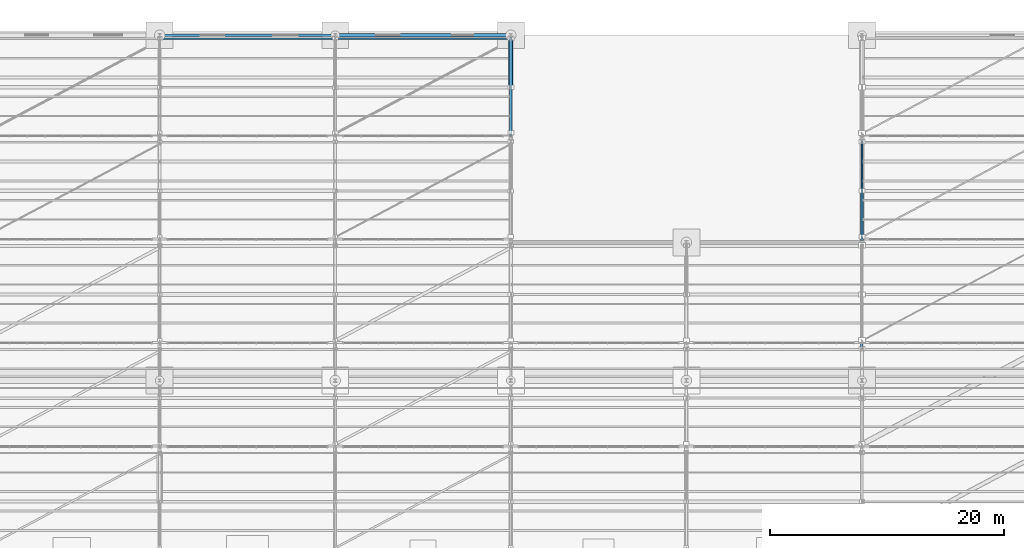
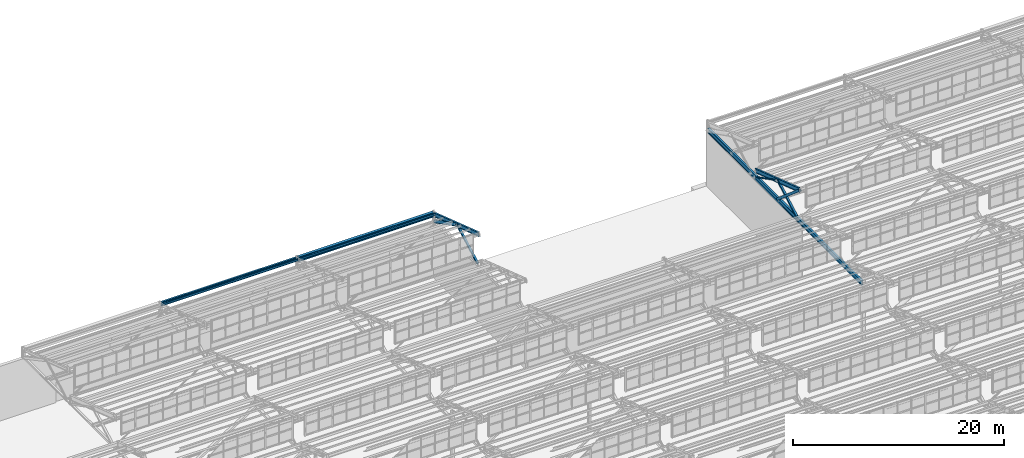
# One storey, part 133 of 285: 7 beams, 5 members.
"""IFC4 building model written with IfcOpenShell, lengths in metres."""

from ifc_helpers import new_model, si_unit, direction, frame, origin, origin_2d, place, context, subcontext, project, spatial, rectangle, hollow_rectangle, hollow_circle, i_section, extrude, material, material_profile, profile_set, type_object, element, save


model = new_model("IFC4")

# Units and contexts
model_context = context("Model", 3, precision=1e-05, world=origin(), true_north=direction((0.0, 1.0)))
body_context = subcontext(model_context, "Body", "Model", "MODEL_VIEW")
ifc_project = project(units=[si_unit("LENGTHUNIT", "METRE"), si_unit("AREAUNIT", "SQUARE_METRE"), si_unit("VOLUMEUNIT", "CUBIC_METRE"), si_unit("PLANEANGLEUNIT", "RADIAN"), si_unit("MASSUNIT", "GRAM", prefix="KILO")], contexts=[model_context])

# Site, building, storey
site_placement = place(None, origin())
site = spatial("IfcSite", under=ifc_project, at=site_placement, CompositionType="ELEMENT")
building_placement = place(site_placement, origin())
building = spatial("IfcBuilding", under=site, at=building_placement, Name="Solanera Park Tramway Depot", CompositionType="ELEMENT")
storey_placement = place(building_placement, origin())
storey = spatial("IfcBuildingStorey", under=building, at=storey_placement, Name="L00", CompositionType="ELEMENT", Elevation=0.0)

# Beams
ifc_material_1 = material(Name="Steel AS/NZS 3679.1 Grade 350", Category="steel")
ifc_material_profile_1 = material_profile(ifc_material_1, i_section(OverallWidth=0.1904296875, OverallDepth=0.45751953125, WebThickness=0.009033203125, FlangeThickness=0.014404296875, at=origin_2d()), Name="460UB74.6")
ifc_profile_set_1 = profile_set([ifc_material_profile_1], Name="Steel AS/NZS 3679.1 Grade 350")
beam_type_1 = type_object("IfcBeamType", Name="Perimeter Spandrel Beam 460UB74.6", PredefinedType="SPANDREL", material=ifc_profile_set_1)
beam_1_placement = place(storey_placement, frame((30.1201171875, 144.0, 7.271240234375), z_axis=(1.0, 0.0, 0.0), x_axis=(0.0, 1.0, 0.0)))
element("IfcBeam", 1, at=beam_1_placement, inside=storey, type_object=beam_type_1, Name="L00 Hall Eave Spandrel 460UB74.6 #0283", PredefinedType="SPANDREL", context=body_context, shape_type="SweptSolid", body=[
    extrude(i_section(OverallWidth=0.1904296875, OverallDepth=0.45751953125, WebThickness=0.009033203125, FlangeThickness=0.014404296875, at=origin_2d()), origin(), (0.0, 0.0, 1.0), 14.759765625),
])
ifc_material_2 = material(Name="Concrete N40 (C40/50)", Category="concrete")
ifc_material_profile_2 = material_profile(ifc_material_2, rectangle(XDim=0.300048828125, YDim=0.550048828125, at=origin_2d()), Name="SPB 300x550")
ifc_profile_set_2 = profile_set([ifc_material_profile_2], Name="Concrete N40 (C40/50)")
beam_type_2 = type_object("IfcBeamType", Name="Perimeter Spandrel Beam SPB 300x550", PredefinedType="SPANDREL", material=ifc_profile_set_2)
beam_2_placement = place(storey_placement, frame((45.1201171875, 144.0, 7.22509765625), z_axis=(1.0, 0.0, 0.0), x_axis=(0.0, 1.0, 0.0)))
element("IfcBeam", 2, at=beam_2_placement, inside=storey, type_object=beam_type_2, Name="L00 Hall Eave Spandrel SPB 300x550 #0285", PredefinedType="SPANDREL", context=body_context, shape_type="SweptSolid", body=[
    extrude(rectangle(XDim=0.300048828125, YDim=0.550048828125, at=origin_2d()), origin(), (0.0, 0.0, 1.0), 14.759765625),
])

# Members
ifc_material_3 = material(Name="Steel AS/NZS 1163 Grade C350L0", Category="steel")
ifc_material_profile_3 = material_profile(ifc_material_3, hollow_rectangle(XDim=0.199951171875, YDim=0.199951171875, WallThickness=0.008056640625, at=origin_2d()), Name="200x200x8.0 SHS")
ifc_profile_set_3 = profile_set([ifc_material_profile_3], Name="Steel AS/NZS 1163 Grade C350L0")
member_type_1 = type_object("IfcMemberType", Name="Roof Gantry Compression Strut 200x200x8.0 SHS", PredefinedType="STRUT", material=ifc_profile_set_3)
member_1_placement = place(storey_placement, frame((90.0, 126.800048828125, 6.5), z_axis=(0.0, 0.874074669389, 0.485791593517), x_axis=(-1.0, 0.0, 0.0)))
element("IfcMember", 3, at=member_1_placement, inside=storey, type_object=member_type_1, Name="Sawtooth ROOF TRUSS Strut 200x200x8.0 SHS #0381", PredefinedType="STRUT", context=body_context, shape_type="SweptSolid", body=[
    extrude(hollow_rectangle(XDim=0.199951171875, YDim=0.199951171875, WallThickness=0.008056640625, at=origin_2d()), origin(), (0.0, 0.0, 1.0), 4.461669921875),
])
member_2_placement = place(storey_placement, frame((60.0, 135.64990234375, 6.5), z_axis=(0.0, 0.874087581692, 0.485768359954), x_axis=(-1.0, 0.0, 0.0)))
element("IfcMember", 4, at=member_2_placement, inside=storey, type_object=member_type_1, Name="Sawtooth ROOF TRUSS Strut 200x200x8.0 SHS #0412", PredefinedType="STRUT", context=body_context, shape_type="SweptSolid", body=[
    extrude(hollow_rectangle(XDim=0.199951171875, YDim=0.199951171875, WallThickness=0.008056640625, at=origin_2d()), origin(), (0.0, 0.0, 1.0), 4.4619140625),
])

# Beams
ifc_material_4 = material(Name="Steel AS/NZS 3679.1 Grade 350", Category="steel")
ifc_material_profile_4 = material_profile(ifc_material_4, i_section(OverallWidth=0.1904296875, OverallDepth=0.45751953125, WebThickness=0.009033203125, FlangeThickness=0.014404296875, at=origin_2d()), Name="460UB74.6")
ifc_profile_set_4 = profile_set([ifc_material_profile_4], Name="Steel AS/NZS 3679.1 Grade 350")
beam_type_3 = type_object("IfcBeamType", Name="Steel Beam 460UB74.6", PredefinedType="BEAM", material=ifc_profile_set_4)
beam_3_placement = place(storey_placement, frame((90.0, 126.550048828125, 10.05615234375), z_axis=(0.0, 0.948319437663, -0.317317261034), x_axis=(-1.0, 0.0, 0.0)))
element("IfcBeam", 5, at=beam_3_placement, inside=storey, type_object=beam_type_3, Name="Sawtooth ROOF TRUSS Top Rafter 460UB74.6 B09-T5", PredefinedType="BEAM", context=body_context, shape_type="SweptSolid", body=[
    extrude(i_section(OverallWidth=0.1904296875, OverallDepth=0.45751953125, WebThickness=0.009033203125, FlangeThickness=0.014404296875, at=origin_2d()), origin(), (0.0, 0.0, 1.0), 8.804931640625),
])
beam_4_placement = place(storey_placement, frame((60.0, 135.39990234375, 10.05615234375), z_axis=(0.0, 0.948322229475, -0.317308917435), x_axis=(-1.0, 0.0, 0.0)))
element("IfcBeam", 6, at=beam_4_placement, inside=storey, type_object=beam_type_3, Name="Sawtooth ROOF TRUSS Top Rafter 460UB74.6 B10-T4", PredefinedType="BEAM", context=body_context, shape_type="SweptSolid", body=[
    extrude(i_section(OverallWidth=0.1904296875, OverallDepth=0.45751953125, WebThickness=0.009033203125, FlangeThickness=0.014404296875, at=origin_2d()), origin(), (0.0, 0.0, 1.0), 8.80517578125),
])
ifc_material_5 = material(Name="Steel AS/NZS 3679.1 Grade 350", Category="steel")
ifc_material_profile_5 = material_profile(ifc_material_5, i_section(OverallWidth=0.209228515625, OverallDepth=0.532958984375, WebThickness=0.01025390625, FlangeThickness=0.015625, at=origin_2d()), Name="530UB92.4")
ifc_profile_set_5 = profile_set([ifc_material_profile_5], Name="Steel AS/NZS 3679.1 Grade 350")
beam_type_4 = type_object("IfcBeamType", Name="Steel Beam 530UB92.4", PredefinedType="BEAM", material=ifc_profile_set_5)
beam_5_placement = place(storey_placement, frame((90.0, 114.6552734375, 6.5), z_axis=(0.0, 1.0, 0.0), x_axis=(-1.0, 0.0, 0.0)))
element("IfcBeam", 7, at=beam_5_placement, inside=storey, type_object=beam_type_4, Name="Sawtooth ROOF TRUSS Bottom Chord 530UB92.4 #0387", PredefinedType="BEAM", context=body_context, shape_type="SweptSolid", body=[
    extrude(i_section(OverallWidth=0.209228515625, OverallDepth=0.532958984375, WebThickness=0.01025390625, FlangeThickness=0.015625, at=origin_2d()), origin(), (0.0, 0.0, 1.0), 29.217041015625),
])
ifc_material_6 = material(Name="Steel AS/NZS 3679.1 Grade 350", Category="steel")
ifc_material_profile_6 = material_profile(ifc_material_6, i_section(OverallWidth=0.14599609375, OverallDepth=0.251708984375, WebThickness=0.006103515625, FlangeThickness=0.008544921875, at=origin_2d()), Name="250UB31.4")
ifc_profile_set_6 = profile_set([ifc_material_profile_6], Name="Steel AS/NZS 3679.1 Grade 350")
beam_type_5 = type_object("IfcBeamType", Name="Steel Joist Purlin 250UB31.4", PredefinedType="JOIST", material=ifc_profile_set_6)
beam_6_placement = place(storey_placement, frame((30.077880859375, 143.699951171875, 7.37939453125), z_axis=(1.0, 0.0, 0.0), x_axis=(0.0, 1.0, 0.0)))
element("IfcBeam", 8, at=beam_6_placement, inside=storey, type_object=beam_type_5, Name="Sawtooth Roof Purlin 250UB31.4 B10.6", PredefinedType="JOIST", context=body_context, shape_type="SweptSolid", body=[
    extrude(i_section(OverallWidth=0.14599609375, OverallDepth=0.251708984375, WebThickness=0.006103515625, FlangeThickness=0.008544921875, at=origin_2d()), origin(), (0.0, 0.0, 1.0), 14.84130859375),
])
beam_7_placement = place(storey_placement, frame((45.080810546875, 143.699951171875, 7.37939453125), z_axis=(1.0, 0.0, 0.0), x_axis=(0.0, 1.0, 0.0)))
element("IfcBeam", 9, at=beam_7_placement, inside=storey, type_object=beam_type_5, Name="Sawtooth Roof Purlin 250UB31.4 B10.6", PredefinedType="JOIST", context=body_context, shape_type="SweptSolid", body=[
    extrude(i_section(OverallWidth=0.14599609375, OverallDepth=0.251708984375, WebThickness=0.006103515625, FlangeThickness=0.008544921875, at=origin_2d()), origin(), (0.0, 0.0, 1.0), 14.83203125),
])

# Members
ifc_material_7 = material(Name="Steel AS/NZS 1163 Grade C350L0", Category="steel")
ifc_material_profile_7 = material_profile(ifc_material_7, hollow_circle(Radius=0.084228515625, WallThickness=0.00634765625, at=origin_2d()), Name="168.3x6.4 CHS")
ifc_profile_set_7 = profile_set([ifc_material_profile_7], Name="Steel AS/NZS 1163 Grade C350L0")
member_type_2 = type_object("IfcMemberType", Name="Truss and Frame Brace 168.3x6.4 CHS", PredefinedType="BRACE", material=ifc_profile_set_7)
member_3_placement = place(storey_placement, frame((90.0, 134.89990234375, 6.5), z_axis=(0.0, -0.888641030015, 0.458603445008), x_axis=(1.0, 0.0, 0.0)))
element("IfcMember", 10, at=member_3_placement, inside=storey, type_object=member_type_2, Name="Sawtooth ROOF TRUSS Diagonal 168.3x6.4 CHS #0380", PredefinedType="BRACE", context=body_context, shape_type="SweptSolid", body=[
    extrude(hollow_circle(Radius=0.084228515625, WallThickness=0.00634765625, at=origin_2d()), origin(), (0.0, 0.0, 1.0), 4.726318359375),
])
ifc_material_8 = material(Name="Steel AS/NZS 1163 Grade C350L0", Category="steel")
ifc_material_profile_8 = material_profile(ifc_material_8, hollow_rectangle(XDim=0.25, YDim=0.25, WallThickness=0.010009765625, at=origin_2d()), Name="250x250x10.0 SHS")
ifc_profile_set_8 = profile_set([ifc_material_profile_8], Name="Steel AS/NZS 1163 Grade C350L0")
member_type_3 = type_object("IfcMemberType", Name="Truss and Frame Brace 250x250x10.0 SHS", PredefinedType="BRACE", material=ifc_profile_set_8)
member_4_placement = place(storey_placement, frame((90.0, 130.699951171875, 6.5), z_axis=(0.0, -0.759338583023, 0.650695717162), x_axis=(1.0, 0.0, 0.0)))
element("IfcMember", 11, at=member_4_placement, inside=storey, type_object=member_type_3, Name="Sawtooth ROOF TRUSS Web Brace 250x250x10.0 SHS #0379", PredefinedType="BRACE", context=body_context, shape_type="SweptSolid", body=[
    extrude(hollow_rectangle(XDim=0.25, YDim=0.25, WallThickness=0.010009765625, at=origin_2d()), origin(), (0.0, 0.0, 1.0), 5.465087890625),
])
ifc_material_9 = material(Name="Steel AS/NZS 1163 Grade C350L0", Category="steel")
ifc_material_profile_9 = material_profile(ifc_material_9, hollow_circle(Radius=0.177734375, WallThickness=0.0126953125, at=origin_2d()), Name="355.6x12.7 CHS")
ifc_profile_set_9 = profile_set([ifc_material_profile_9], Name="Steel AS/NZS 1163 Grade C350L0")
member_type_4 = type_object("IfcMemberType", Name="Truss and Frame Brace 355.6x12.7 CHS", PredefinedType="BRACE", material=ifc_profile_set_9)
member_5_placement = place(storey_placement, frame((60.0, 143.75, 6.5), z_axis=(0.0, -0.888641030015, 0.458603445008), x_axis=(1.0, 0.0, 0.0)))
element("IfcMember", 12, at=member_5_placement, inside=storey, type_object=member_type_4, Name="Sawtooth ROOF TRUSS Diagonal 355.6x12.7 CHS #0411", PredefinedType="BRACE", context=body_context, shape_type="SweptSolid", body=[
    extrude(hollow_circle(Radius=0.177734375, WallThickness=0.0126953125, at=origin_2d()), origin(), (0.0, 0.0, 1.0), 4.726318359375),
])

save(model, "model.ifc")
